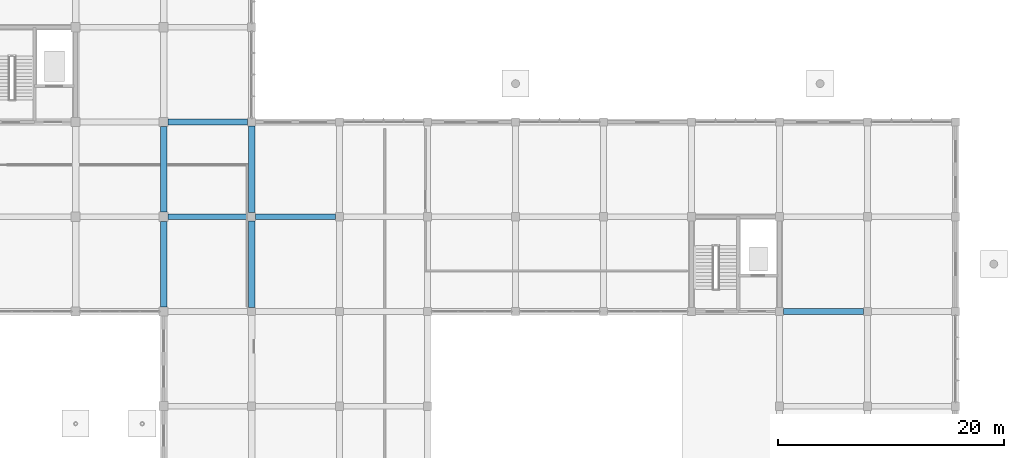
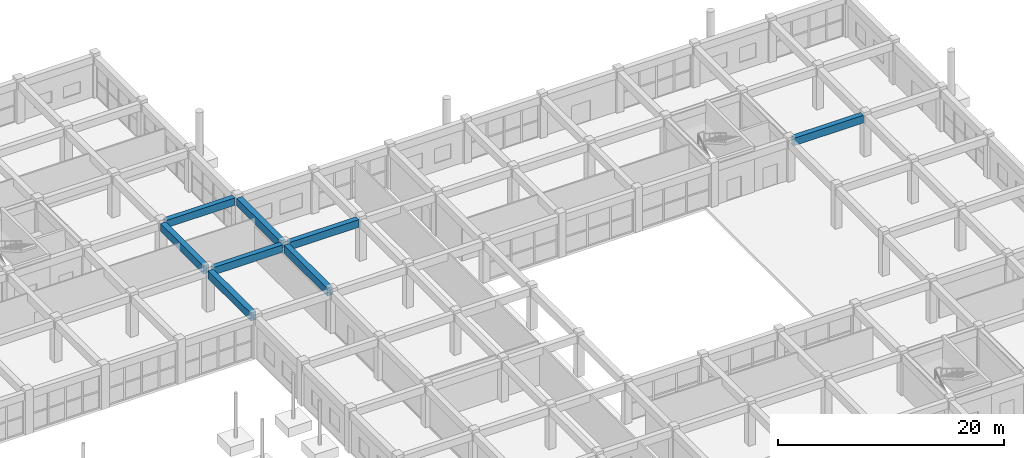
# One storey, part 81 of 139: 8 beams.
"""IFC4 building model written with IfcOpenShell, lengths in metres."""

from ifc_helpers import new_model, si_unit, direction, frame, origin, origin_2d, place, context, subcontext, project, spatial, rectangle, extrude, material, material_profile, profile_set, type_object, element, save


model = new_model("IFC4")

# Units and contexts
model_context = context("Model", 3, precision=1e-05, world=origin(), true_north=direction((0.0, 1.0)))
body_context = subcontext(model_context, "Body", "Model", "MODEL_VIEW")
ifc_project = project(units=[si_unit("LENGTHUNIT", "METRE"), si_unit("AREAUNIT", "SQUARE_METRE"), si_unit("VOLUMEUNIT", "CUBIC_METRE"), si_unit("PLANEANGLEUNIT", "RADIAN"), si_unit("MASSUNIT", "GRAM", prefix="KILO")], contexts=[model_context])

# Site, building, storey
site_placement = place(None, origin())
site = spatial("IfcSite", under=ifc_project, at=site_placement, CompositionType="ELEMENT")
building_placement = place(site_placement, origin())
building = spatial("IfcBuilding", under=site, at=building_placement, Name="Zizhar Promenade General Hospital", CompositionType="ELEMENT")
storey_placement = place(building_placement, origin())
storey = spatial("IfcBuildingStorey", under=building, at=storey_placement, Name="L00", CompositionType="ELEMENT", Elevation=0.0)

# Beams
ifc_material_1 = material(Name="Concrete C35/45", Category="concrete")
ifc_material_profile_1 = material_profile(ifc_material_1, rectangle(XDim=0.5, YDim=0.800048828125, at=origin_2d()))
ifc_profile_set_1 = profile_set([ifc_material_profile_1], Name="Concrete C35/45")
beam_type_1 = type_object("IfcBeamType", Name="BM-RC-500x800", PredefinedType="BEAM", material=ifc_profile_set_1)
for number, where, z_axis, x_axis, name in (
    (1, (125.199951171875, 100.800048828125, 4.070068359375), (1.0, 0.0, 0.0), (0.0, 1.0, 0.0), "Grid Beam X L00 (16-12)"),
    (2, (125.199951171875, 109.199951171875, 4.070068359375), (1.0, 0.0, 0.0), (0.0, 1.0, 0.0), "Grid Beam X L00 (16-13)"),
):
    element("IfcBeam", number, at=place(storey_placement, frame(where, z_axis=z_axis, x_axis=x_axis)), inside=storey, type_object=beam_type_1, Name=name, PredefinedType="BEAM", context=body_context, shape_type="SweptSolid", body=[
        extrude(rectangle(XDim=0.5, YDim=0.800048828125, at=origin_2d()), origin(), (0.0, 0.0, 1.0), 7.0400390625),
    ])
ifc_material_2 = material(Name="Concrete C35/45", Category="concrete")
ifc_material_profile_2 = material_profile(ifc_material_2, rectangle(XDim=0.52001953125, YDim=0.820068359375, at=origin_2d()))
ifc_profile_set_2 = profile_set([ifc_material_profile_2], Name="Concrete C35/45")
beam_type_2 = type_object("IfcBeamType", Name="BM-RC-520x820", PredefinedType="BEAM", material=ifc_profile_set_2)
for number, where, z_axis, x_axis, name in (
    (3, (132.9599609375, 100.800048828125, 4.06005859375), (1.0, 0.0, 0.0), (0.0, 1.0, 0.0), "Grid Beam X L00 (17-12)"),
    (4, (179.760009765625, 92.39990234375, 4.06005859375), (1.0, 0.0, 0.0), (0.0, 1.0, 0.0), "Grid Beam X L00 (23-11)"),
):
    element("IfcBeam", number, at=place(storey_placement, frame(where, z_axis=z_axis, x_axis=x_axis)), inside=storey, type_object=beam_type_2, Name=name, PredefinedType="BEAM", context=body_context, shape_type="SweptSolid", body=[
        extrude(rectangle(XDim=0.52001953125, YDim=0.820068359375, at=origin_2d()), origin(), (0.0, 0.0, 1.0), 7.080078125),
    ])
ifc_material_3 = material(Name="Concrete C35/45", Category="concrete")
ifc_material_profile_3 = material_profile(ifc_material_3, rectangle(XDim=0.550048828125, YDim=0.85009765625, at=origin_2d()))
ifc_profile_set_3 = profile_set([ifc_material_profile_3], Name="Concrete C35/45")
beam_type_3 = type_object("IfcBeamType", Name="BM-RC-550x850", PredefinedType="BEAM", material=ifc_profile_set_3)
beam_1_placement = place(storey_placement, frame((124.800048828125, 92.800048828125, 4.044921875), z_axis=(0.0, 1.0, 0.0), x_axis=(-1.0, 0.0, 0.0)))
element("IfcBeam", 5, at=beam_1_placement, inside=storey, type_object=beam_type_3, Name="Grid Beam Y L00 (16-11)", PredefinedType="BEAM", context=body_context, shape_type="SweptSolid", body=[
    extrude(rectangle(XDim=0.550048828125, YDim=0.85009765625, at=origin_2d()), origin(), (0.0, 0.0, 1.0), 7.599853515625),
])
beam_2_placement = place(storey_placement, frame((124.800048828125, 101.199951171875, 4.044921875), z_axis=(0.0, 1.0, 0.0), x_axis=(-1.0, 0.0, 0.0)))
element("IfcBeam", 6, at=beam_2_placement, inside=storey, type_object=beam_type_3, Name="Grid Beam Y L00 (16-12)", PredefinedType="BEAM", context=body_context, shape_type="SweptSolid", body=[
    extrude(rectangle(XDim=0.550048828125, YDim=0.85009765625, at=origin_2d()), origin(), (0.0, 0.0, 1.0), 7.60009765625),
])
beam_3_placement = place(storey_placement, frame((132.60009765625, 92.760009765625, 4.044921875), z_axis=(0.0, 1.0, 0.0), x_axis=(-1.0, 0.0, 0.0)))
element("IfcBeam", 7, at=beam_3_placement, inside=storey, type_object=beam_type_3, Name="Grid Beam Y L00 (17-11)", PredefinedType="BEAM", context=body_context, shape_type="SweptSolid", body=[
    extrude(rectangle(XDim=0.550048828125, YDim=0.85009765625, at=origin_2d()), origin(), (0.0, 0.0, 1.0), 7.679931640625),
])
beam_4_placement = place(storey_placement, frame((132.60009765625, 101.159912109375, 4.044921875), z_axis=(0.0, 1.0, 0.0), x_axis=(-1.0, 0.0, 0.0)))
element("IfcBeam", 8, at=beam_4_placement, inside=storey, type_object=beam_type_3, Name="Grid Beam Y L00 (17-12)", PredefinedType="BEAM", context=body_context, shape_type="SweptSolid", body=[
    extrude(rectangle(XDim=0.550048828125, YDim=0.85009765625, at=origin_2d()), origin(), (0.0, 0.0, 1.0), 7.68017578125),
])

save(model, "model.ifc")
